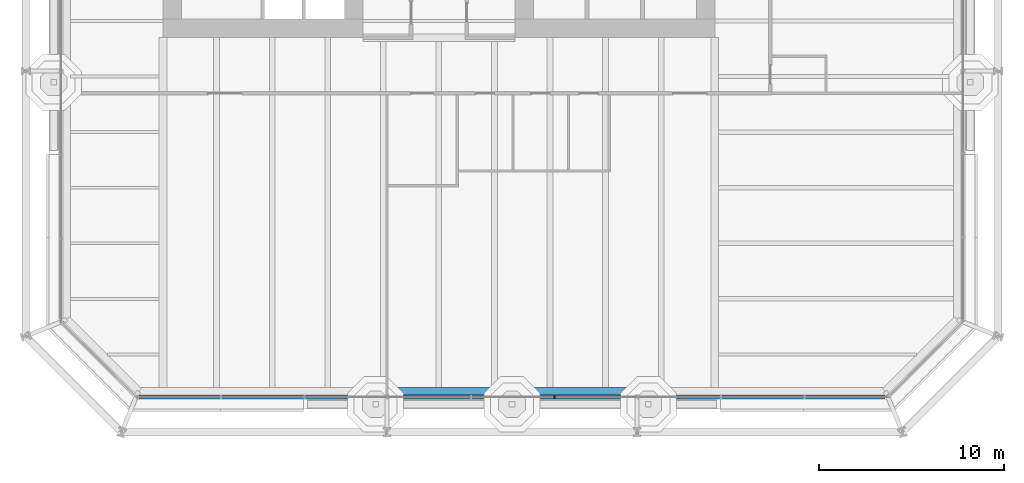
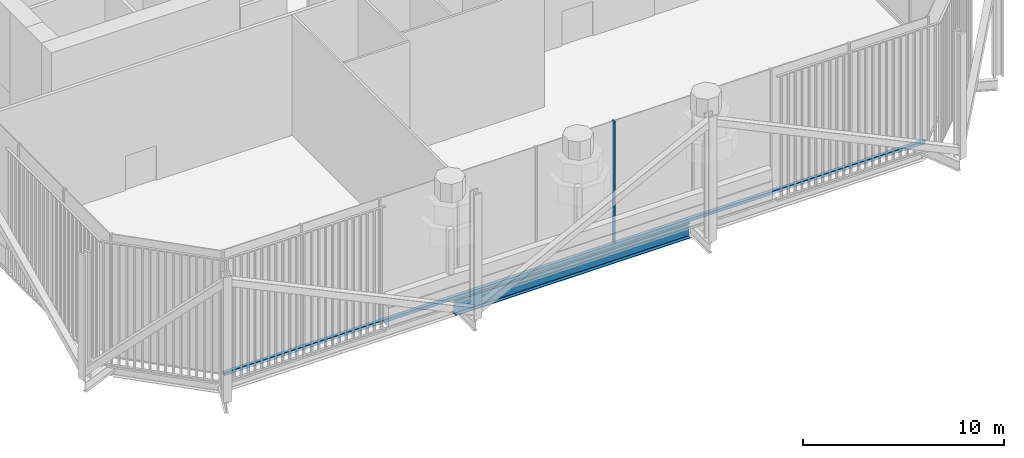
# One storey, part 3 of 18: 2 members, 1 beam, 1 element without a shape of its own.
"""IFC4 building model written with IfcOpenShell, lengths in metres."""

from ifc_helpers import new_model, si_unit, direction, frame, origin, origin_2d, place, context, subcontext, project, spatial, rectangle, i_section, extrude, material, layer, layer_set, material_profile, profile_set, type_object, element, aggregate, save


model = new_model("IFC4")

# Units and contexts
model_context = context("Model", 3, precision=1e-05, world=origin(), true_north=direction((0.0, 1.0)))
body_context = subcontext(model_context, "Body", "Model", "MODEL_VIEW")
ifc_project = project(units=[si_unit("LENGTHUNIT", "METRE"), si_unit("AREAUNIT", "SQUARE_METRE"), si_unit("VOLUMEUNIT", "CUBIC_METRE"), si_unit("PLANEANGLEUNIT", "RADIAN"), si_unit("MASSUNIT", "GRAM", prefix="KILO")], contexts=[model_context])

# Site, building, storey
site_placement = place(None, origin())
site = spatial("IfcSite", under=ifc_project, at=site_placement, CompositionType="ELEMENT")
building_placement = place(site_placement, origin())
building = spatial("IfcBuilding", under=site, at=building_placement, Name="Millrace Tower", CompositionType="ELEMENT")
storey_placement = place(building_placement, frame((0.0, 0.0, 112.800048828125)))
storey = spatial("IfcBuildingStorey", under=building, at=storey_placement, Name="L25", CompositionType="ELEMENT", Elevation=112.800048828125)

# Curtain wall, members
ifc_material_1 = material(Name="Aluminium and glass", Category="aluminium")
ifc_layer = layer(ifc_material_1, 0.199951171875)
ifc_layer_set = layer_set([ifc_layer], Name="Aluminium and glass")
curtain_wall_type = type_object("IfcCurtainWallType", Name="CW-4 sky garden winter glazing", PredefinedType="NOTDEFINED", material=ifc_layer_set)
curtain_wall_placement = place(storey_placement, origin())
curtain_wall = element("IfcCurtainWall", 1, at=curtain_wall_placement, inside=storey, type_object=curtain_wall_type, Name="Curtain wall B-F02 L25", PredefinedType="NOTDEFINED")
ifc_material_2 = material(Name="Aluminium", Category="aluminium")
ifc_material_profile_1 = material_profile(ifc_material_2, rectangle(XDim=0.080078125, YDim=0.199951171875, at=origin_2d()))
ifc_profile_set_1 = profile_set([ifc_material_profile_1], Name="Aluminium")
member_type_1 = type_object("IfcMemberType", Name="CW-4 sky garden winter glazing mullion", PredefinedType="MULLION", material=ifc_profile_set_1)
member_1_placement = place(storey_placement, frame((6.239990234375, -29.300048828125, 0.179931640625), z_axis=(0.0, 0.0, 1.0), x_axis=(1.0, 0.0, 0.0)))
member_1 = element("IfcMember", 2, at=member_1_placement, type_object=member_type_1, Name="CW4 mullion B-F02.6", PredefinedType="MULLION", context=body_context, shape_type="SweptSolid", body=[
    extrude(rectangle(XDim=0.080078125, YDim=0.199951171875, at=origin_2d()), origin(), (0.0, 0.0, 1.0), 7.419921875),
])
ifc_material_3 = material(Name="Aluminium", Category="aluminium")
ifc_material_profile_2 = material_profile(ifc_material_3, rectangle(XDim=0.199951171875, YDim=0.179931640625, at=origin_2d()))
ifc_profile_set_2 = profile_set([ifc_material_profile_2], Name="Aluminium")
member_type_2 = type_object("IfcMemberType", Name="CW-4 sky garden winter glazing transom", PredefinedType="USERDEFINED", material=ifc_profile_set_2)
member_2_placement = place(storey_placement, frame((-16.199951171875, -29.300048828125, 0.08984375), z_axis=(1.0, 0.0, 0.0), x_axis=(0.0, 1.0, 0.0)))
member_2 = element("IfcMember", 3, at=member_2_placement, type_object=member_type_2, Name="CW4 transom B-F02.1", ObjectType="TRANSOM", PredefinedType="USERDEFINED", context=body_context, shape_type="SweptSolid", body=[
    extrude(rectangle(XDim=0.199951171875, YDim=0.179931640625, at=origin_2d()), origin(), (0.0, 0.0, 1.0), 40.300048828125),
])
aggregate(curtain_wall, [member_1, member_2])

# Beam
ifc_material_4 = material(Name="Steel ASTM A992 Grade 50", Category="steel")
ifc_material_profile_3 = material_profile(ifc_material_4, i_section(OverallWidth=0.419189453125, OverallDepth=0.927001953125, WebThickness=0.019287109375, FlangeThickness=0.031982421875, FilletRadius=0.024169921875, at=origin_2d()))
ifc_profile_set_3 = profile_set([ifc_material_profile_3], Name="Steel ASTM A992 Grade 50")
beam_type = type_object("IfcBeamType", Name="Ring beam medium span W36x231", PredefinedType="SPANDREL", material=ifc_profile_set_3)
beam_placement = place(storey_placement, frame((10.699951171875, -28.990478515625, -0.713623046875), z_axis=(-1.0, 0.0, 0.0), x_axis=(0.0, -1.0, 0.0)))
element("IfcBeam", 4, at=beam_placement, inside=storey, type_object=beam_type, Name="RNG-B-L25-S1-14", PredefinedType="SPANDREL", context=body_context, shape_type="SweptSolid", body=[
    extrude(i_section(OverallWidth=0.419189453125, OverallDepth=0.927001953125, WebThickness=0.019287109375, FlangeThickness=0.031982421875, FilletRadius=0.024169921875, at=origin_2d()), origin(), (0.0, 0.0, 1.0), 13.5),
])

save(model, "model.ifc")
